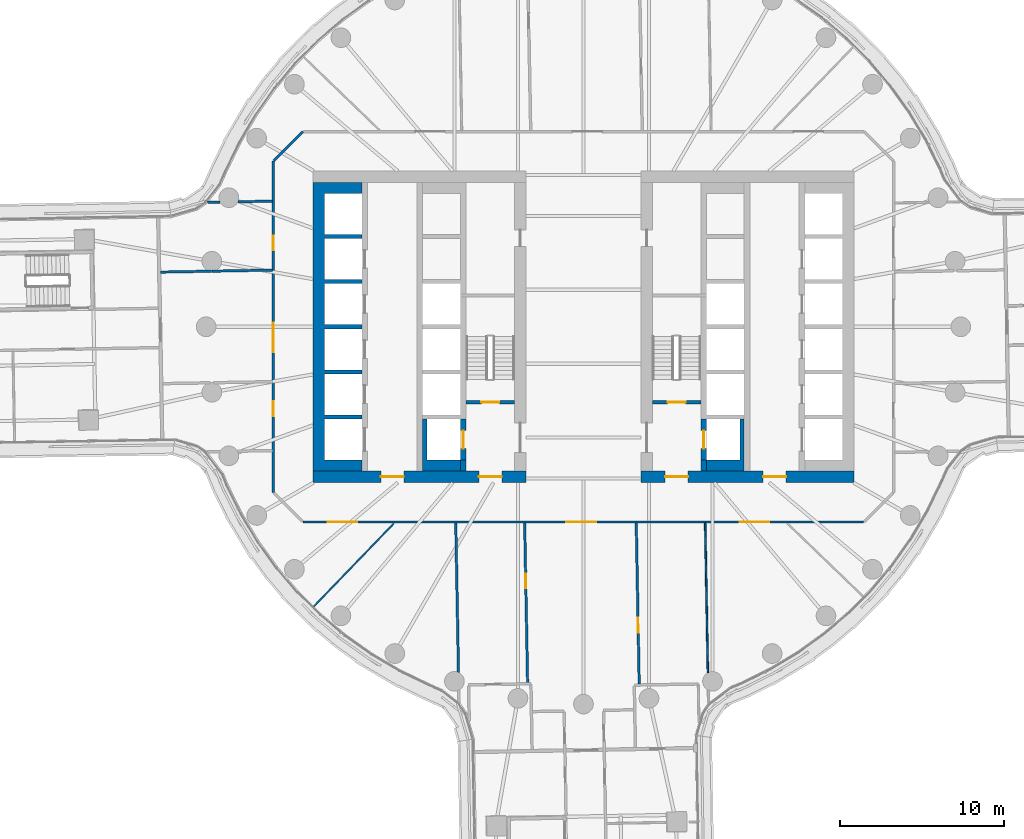
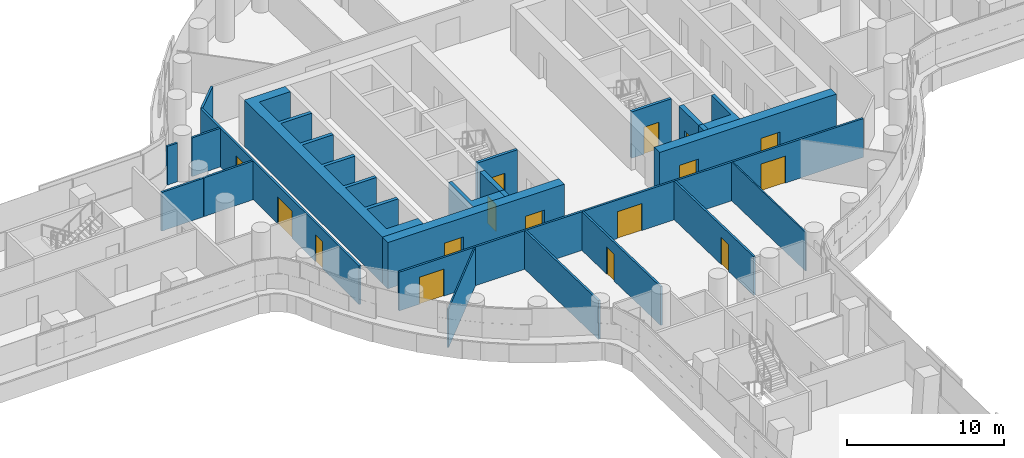
# One storey, part 20 of 31: 23 walls, 16 doors, 16 openings.
"""IFC4 building model written with IfcOpenShell, lengths in metres."""

from ifc_helpers import new_model, si_unit, direction, frame, frame_2d, origin, place, context, subcontext, project, spatial, polyline, rectangle, outline, extrude, material, layer, layer_set, type_object, element, fill, save


model = new_model("IFC4")

# Units and contexts
model_context = context("Model", 3, precision=1e-05, world=origin(), true_north=direction((0.0, 1.0)))
body_context = subcontext(model_context, "Body", "Model", "MODEL_VIEW")
ifc_project = project(units=[si_unit("LENGTHUNIT", "METRE"), si_unit("AREAUNIT", "SQUARE_METRE"), si_unit("VOLUMEUNIT", "CUBIC_METRE"), si_unit("PLANEANGLEUNIT", "RADIAN"), si_unit("MASSUNIT", "GRAM", prefix="KILO")], contexts=[model_context])

# Site, building, storey
site_placement = place(None, origin())
site = spatial("IfcSite", under=ifc_project, at=site_placement, CompositionType="ELEMENT")
building_placement = place(site_placement, origin())
building = spatial("IfcBuilding", under=site, at=building_placement, Name="Tamarind Cross Interchange Tower", CompositionType="ELEMENT")
storey_placement = place(building_placement, frame((0.0, 0.0, 37.75)))
storey = spatial("IfcBuildingStorey", under=building, at=storey_placement, Name="L07", CompositionType="ELEMENT", Elevation=37.75)

# Wall, openings, doors
ifc_material_1 = material(Name="Concrete C80", Category="concrete")
ifc_layer_1 = layer(ifc_material_1, 0.699951171875)
ifc_layer_set_1 = layer_set([ifc_layer_1], Name="Concrete C80")
wall_type_1 = type_object("IfcWallType", Name="Core wall 700 mm Concrete C80", PredefinedType="SHEAR", material=ifc_layer_set_1)
wall_1_placement = place(storey_placement, frame((-16.5, -9.14990234375, 0.0), z_axis=(0.0, 0.0, 1.0), x_axis=(1.0, 0.0, 0.0)))
wall_1 = element("IfcWall", 1, at=wall_1_placement, inside=storey, type_object=wall_type_1, Name="Core wall CWL-L07-W-S", PredefinedType="SHEAR", context=body_context, shape_type="SweptSolid", body=[
    extrude(rectangle(XDim=13.0, YDim=0.699951171875, at=frame_2d((6.5, 0.0))), origin(), (0.0, 0.0, 1.0), 3.610107421875),
])
opening_1_placement = place(wall_1_placement, frame((4.14990234375, 0.0, 0.0)))
opening_1 = element("IfcOpeningElement", 2, at=opening_1_placement, cuts=wall_1, Name="Opening DCW1", PredefinedType="OPENING", context=body_context, shape_type="SweptSolid", body=[
    extrude(rectangle(XDim=1.39990234375, YDim=2.10009765625, at=frame_2d((0.699951171875, 1.050048828125))), frame((0.0, 0.35986328125, 0.0), z_axis=(0.0, -1.0, 0.0), x_axis=(1.0, 0.0, 0.0)), (0.0, 0.0, 1.0), 0.719970703125),
])
opening_2_placement = place(wall_1_placement, frame((10.125, 0.0, 0.0)))
opening_2 = element("IfcOpeningElement", 3, at=opening_2_placement, cuts=wall_1, Name="Opening DCWF", PredefinedType="OPENING", context=body_context, shape_type="SweptSolid", body=[
    extrude(rectangle(XDim=1.39990234375, YDim=2.10009765625, at=frame_2d((0.699951171875, 1.050048828125))), frame((0.0, 0.35986328125, 0.0), z_axis=(0.0, -1.0, 0.0), x_axis=(1.0, 0.0, 0.0)), (0.0, 0.0, 1.0), 0.719970703125),
])
ifc_material_2 = material(Name="Steel, fire-resisting", Category="steel")
door_type_1 = type_object("IfcDoorType", Name="Core fire door 1400 x 2100 FD90", OperationType="SINGLE_SWING_LEFT", PredefinedType="DOOR", material=ifc_material_2)
door_1_placement = place(opening_1_placement, origin())
door_1 = element("IfcDoor", 4, at=door_1_placement, inside=storey, type_object=door_type_1, Name="L07 lift lobby door", OperationType="SINGLE_SWING_LEFT", OverallHeight=2.10009765625, OverallWidth=1.39990234375, PredefinedType="DOOR", context=body_context, shape_type="SweptSolid", body=[
    extrude(rectangle(XDim=1.39990234375, YDim=2.10009765625, at=frame_2d((0.699951171875, 1.050048828125))), frame((0.0, 0.02490234375, 0.0), z_axis=(0.0, -1.0, 0.0), x_axis=(1.0, 0.0, 0.0)), (0.0, 0.0, 1.0), 0.050048828125),
])
fill(opening_1, door_1)
door_2_placement = place(opening_2_placement, origin())
door_2 = element("IfcDoor", 5, at=door_2_placement, inside=storey, type_object=door_type_1, Name="L07 firefighting lobby end door", OperationType="SINGLE_SWING_LEFT", OverallHeight=2.10009765625, OverallWidth=1.39990234375, PredefinedType="DOOR", context=body_context, shape_type="SweptSolid", body=[
    extrude(rectangle(XDim=1.39990234375, YDim=2.10009765625, at=frame_2d((0.699951171875, 1.050048828125))), frame((0.0, 0.02490234375, 0.0), z_axis=(0.0, -1.0, 0.0), x_axis=(1.0, 0.0, 0.0)), (0.0, 0.0, 1.0), 0.050048828125),
])
fill(opening_2, door_2)

# Wall
wall_2_placement = place(storey_placement, origin())
element("IfcWall", 6, at=wall_2_placement, inside=storey, type_object=wall_type_1, Name="Core wall CWL-L07-W-A", PredefinedType="SHEAR", context=body_context, shape_type="SweptSolid", body=[
    extrude(outline(polyline([(-13.5, -8.800048828125), (-13.5, -8.125), (-15.800048828125, -8.125), (-15.800048828125, -5.625), (-13.5, -5.625), (-13.5, -5.375), (-15.800048828125, -5.375), (-15.800048828125, -2.875), (-13.5, -2.875), (-13.5, -2.625), (-15.800048828125, -2.625), (-15.800048828125, -0.125), (-13.5, -0.125), (-13.5, 0.125), (-15.800048828125, 0.125), (-15.800048828125, 2.625), (-13.5, 2.625), (-13.5, 2.875), (-15.800048828125, 2.875), (-15.800048828125, 5.375), (-13.5, 5.375), (-13.5, 5.625), (-15.800048828125, 5.625), (-15.800048828125, 8.125), (-13.5, 8.125), (-13.5, 8.800048828125), (-15.800048828125, 8.800048828125), (-16.5, 8.800048828125), (-16.5, -8.800048828125), (-15.800048828125, -8.800048828125), (-13.5, -8.800048828125)])), origin(), (0.0, 0.0, 1.0), 3.610107421875),
])

# Wall, openings, doors
wall_3_placement = place(storey_placement, frame((16.5, -9.14990234375, 0.0), z_axis=(0.0, 0.0, 1.0), x_axis=(-1.0, 0.0, 0.0)))
wall_3 = element("IfcWall", 7, at=wall_3_placement, inside=storey, type_object=wall_type_1, Name="Core wall CWL-L07-E-S", PredefinedType="SHEAR", context=body_context, shape_type="SweptSolid", body=[
    extrude(rectangle(XDim=13.0, YDim=0.699951171875, at=frame_2d((6.5, 0.0))), origin(), (0.0, 0.0, 1.0), 3.610107421875),
])
opening_3_placement = place(wall_3_placement, frame((4.14990234375, 0.0, 0.0)))
opening_3 = element("IfcOpeningElement", 8, at=opening_3_placement, cuts=wall_3, Name="Opening DCE1", PredefinedType="OPENING", context=body_context, shape_type="SweptSolid", body=[
    extrude(rectangle(XDim=1.39990234375, YDim=2.10009765625, at=frame_2d((0.699951171875, 1.050048828125))), frame((0.0, 0.35986328125, 0.0), z_axis=(0.0, -1.0, 0.0), x_axis=(1.0, 0.0, 0.0)), (0.0, 0.0, 1.0), 0.719970703125),
])
opening_4_placement = place(wall_3_placement, frame((10.125, 0.0, 0.0)))
opening_4 = element("IfcOpeningElement", 9, at=opening_4_placement, cuts=wall_3, Name="Opening DCEF", PredefinedType="OPENING", context=body_context, shape_type="SweptSolid", body=[
    extrude(rectangle(XDim=1.39990234375, YDim=2.10009765625, at=frame_2d((0.699951171875, 1.050048828125))), frame((0.0, 0.35986328125, 0.0), z_axis=(0.0, -1.0, 0.0), x_axis=(1.0, 0.0, 0.0)), (0.0, 0.0, 1.0), 0.719970703125),
])
door_3_placement = place(opening_3_placement, origin())
door_3 = element("IfcDoor", 10, at=door_3_placement, inside=storey, type_object=door_type_1, Name="L07 lift lobby door", OperationType="SINGLE_SWING_LEFT", OverallHeight=2.10009765625, OverallWidth=1.39990234375, PredefinedType="DOOR", context=body_context, shape_type="SweptSolid", body=[
    extrude(rectangle(XDim=1.39990234375, YDim=2.10009765625, at=frame_2d((0.699951171875, 1.050048828125))), frame((0.0, 0.02490234375, 0.0), z_axis=(0.0, -1.0, 0.0), x_axis=(1.0, 0.0, 0.0)), (0.0, 0.0, 1.0), 0.050048828125),
])
fill(opening_3, door_3)
door_4_placement = place(opening_4_placement, origin())
door_4 = element("IfcDoor", 11, at=door_4_placement, inside=storey, type_object=door_type_1, Name="L07 firefighting lobby end door", OperationType="SINGLE_SWING_LEFT", OverallHeight=2.10009765625, OverallWidth=1.39990234375, PredefinedType="DOOR", context=body_context, shape_type="SweptSolid", body=[
    extrude(rectangle(XDim=1.39990234375, YDim=2.10009765625, at=frame_2d((0.699951171875, 1.050048828125))), frame((0.0, 0.02490234375, 0.0), z_axis=(0.0, -1.0, 0.0), x_axis=(1.0, 0.0, 0.0)), (0.0, 0.0, 1.0), 0.050048828125),
])
fill(opening_4, door_4)

# Walls
ifc_layer_2 = layer(ifc_material_1, 0.35009765625)
ifc_layer_set_2 = layer_set([ifc_layer_2], Name="Concrete C80")
wall_type_2 = type_object("IfcWallType", Name="Core web wall 350 mm Concrete C80", PredefinedType="SHEAR", material=ifc_layer_set_2)
wall_4_placement = place(storey_placement, origin())
element("IfcWall", 12, at=wall_4_placement, inside=storey, type_object=wall_type_2, Name="Core wall CWL-L07-W-BS", PredefinedType="SHEAR", context=body_context, shape_type="SweptSolid", body=[
    extrude(outline(polyline([(-7.5, -8.125), (-9.550048828125, -8.125), (-9.550048828125, -5.625), (-9.800048828125, -5.625), (-9.800048828125, -8.125), (-9.800048828125, -8.800048828125), (-7.5, -8.800048828125), (-7.5, -8.125)])), origin(), (0.0, 0.0, 1.0), 3.610107421875),
])
wall_5_placement = place(storey_placement, frame((-7.324951171875, -8.800048828125, 0.0), z_axis=(0.0, 0.0, 1.0), x_axis=(0.0, 1.0, 0.0)))
element("IfcWall", 13, at=wall_5_placement, inside=storey, type_object=wall_type_2, Name="Core wall CWL-L07-W-BW", PredefinedType="SHEAR", context=body_context, shape_type="SweptSolid", body=[
    extrude(rectangle(XDim=0.675048828125, YDim=0.35009765625, at=frame_2d((0.33740234375, 0.0))), origin(), (0.0, 0.0, 1.0), 3.610107421875),
])

# Wall, opening, door
wall_6_placement = place(storey_placement, frame((-7.324951171875, -8.125, 0.0), z_axis=(0.0, 0.0, 1.0), x_axis=(0.0, 1.0, 0.0)))
wall_6 = element("IfcWall", 14, at=wall_6_placement, inside=storey, type_object=wall_type_2, Name="Core wall CWL-L07-W-FF", PredefinedType="SHEAR", context=body_context, shape_type="SweptSolid", body=[
    extrude(rectangle(XDim=2.5, YDim=0.35009765625, at=frame_2d((1.25, 0.0))), origin(), (0.0, 0.0, 1.0), 3.610107421875),
])
opening_5_placement = place(wall_6_placement, frame((0.699951171875, 0.0, 0.0)))
opening_5 = element("IfcOpeningElement", 15, at=opening_5_placement, cuts=wall_6, Name="Opening LD7L07", PredefinedType="OPENING", context=body_context, shape_type="SweptSolid", body=[
    extrude(rectangle(XDim=1.10009765625, YDim=2.10009765625, at=frame_2d((0.550048828125, 1.050048828125))), frame((0.0, 0.18505859375, 0.0), z_axis=(0.0, -1.0, 0.0), x_axis=(1.0, 0.0, 0.0)), (0.0, 0.0, 1.0), 0.3701171875),
])
ifc_material_3 = material(Name="Stainless steel panel", Category="steel")
door_type_2 = type_object("IfcDoorType", Name="Lift landing door 1100 x 2100 E 120", OperationType="SLIDING_TO_LEFT", PredefinedType="DOOR", material=ifc_material_3)
door_5_placement = place(opening_5_placement, origin())
door_5 = element("IfcDoor", 16, at=door_5_placement, inside=storey, type_object=door_type_2, Name="L07 landing door LF7", OperationType="SLIDING_TO_LEFT", OverallHeight=2.10009765625, OverallWidth=1.10009765625, PredefinedType="DOOR", context=body_context, shape_type="SweptSolid", body=[
    extrude(rectangle(XDim=1.10009765625, YDim=2.10009765625, at=frame_2d((0.550048828125, 1.050048828125))), frame((0.0, 0.02490234375, 0.0), z_axis=(0.0, -1.0, 0.0), x_axis=(1.0, 0.0, 0.0)), (0.0, 0.0, 1.0), 0.050048828125),
])
fill(opening_5, door_5)

# Walls
wall_7_placement = place(storey_placement, origin())
element("IfcWall", 17, at=wall_7_placement, inside=storey, type_object=wall_type_2, Name="Core wall CWL-L07-E-BS", PredefinedType="SHEAR", context=body_context, shape_type="SweptSolid", body=[
    extrude(outline(polyline([(7.5, -8.125), (7.5, -8.800048828125), (9.800048828125, -8.800048828125), (9.800048828125, -8.125), (9.800048828125, -5.625), (9.550048828125, -5.625), (9.550048828125, -8.125), (7.5, -8.125)])), origin(), (0.0, 0.0, 1.0), 3.610107421875),
])
wall_8_placement = place(storey_placement, frame((7.324951171875, -8.800048828125, 0.0), z_axis=(0.0, 0.0, 1.0), x_axis=(0.0, 1.0, 0.0)))
element("IfcWall", 18, at=wall_8_placement, inside=storey, type_object=wall_type_2, Name="Core wall CWL-L07-E-BW", PredefinedType="SHEAR", context=body_context, shape_type="SweptSolid", body=[
    extrude(rectangle(XDim=0.675048828125, YDim=0.35009765625, at=frame_2d((0.33740234375, 0.0))), origin(), (0.0, 0.0, 1.0), 3.610107421875),
])

# Wall, opening, door
wall_9_placement = place(storey_placement, frame((7.324951171875, -8.125, 0.0), z_axis=(0.0, 0.0, 1.0), x_axis=(0.0, 1.0, 0.0)))
wall_9 = element("IfcWall", 19, at=wall_9_placement, inside=storey, type_object=wall_type_2, Name="Core wall CWL-L07-E-FF", PredefinedType="SHEAR", context=body_context, shape_type="SweptSolid", body=[
    extrude(rectangle(XDim=2.5, YDim=0.35009765625, at=frame_2d((1.25, 0.0))), origin(), (0.0, 0.0, 1.0), 3.610107421875),
])
opening_6_placement = place(wall_9_placement, frame((0.699951171875, 0.0, 0.0)))
opening_6 = element("IfcOpeningElement", 20, at=opening_6_placement, cuts=wall_9, Name="Opening LD19L07", PredefinedType="OPENING", context=body_context, shape_type="SweptSolid", body=[
    extrude(rectangle(XDim=1.10009765625, YDim=2.10009765625, at=frame_2d((0.550048828125, 1.050048828125))), frame((0.0, 0.18505859375, 0.0), z_axis=(0.0, -1.0, 0.0), x_axis=(1.0, 0.0, 0.0)), (0.0, 0.0, 1.0), 0.3701171875),
])
door_6_placement = place(opening_6_placement, origin())
door_6 = element("IfcDoor", 21, at=door_6_placement, inside=storey, type_object=door_type_2, Name="L07 landing door LF19", OperationType="SLIDING_TO_LEFT", OverallHeight=2.10009765625, OverallWidth=1.10009765625, PredefinedType="DOOR", context=body_context, shape_type="SweptSolid", body=[
    extrude(rectangle(XDim=1.10009765625, YDim=2.10009765625, at=frame_2d((0.550048828125, 1.050048828125))), frame((0.0, 0.02490234375, 0.0), z_axis=(0.0, -1.0, 0.0), x_axis=(1.0, 0.0, 0.0)), (0.0, 0.0, 1.0), 0.050048828125),
])
fill(opening_6, door_6)

# Walls
ifc_material_4 = material(Name="Gypsum board partition on steel studs", Category="steel")
ifc_layer_3 = layer(ifc_material_4, 0.10009765625)
ifc_layer_set_3 = layer_set([ifc_layer_3], Name="Gypsum board partition on steel studs")
wall_type_3 = type_object("IfcWallType", Name="Partition 100 mm EI 90", PredefinedType="PARTITIONING", material=ifc_layer_set_3)
wall_10_placement = place(storey_placement, frame((7.418212890625, -11.9599609375, 0.0), z_axis=(0.0, 0.0, 1.0), x_axis=(0.018176380895, -0.999834795943, 0.0)))
element("IfcWall", 22, at=wall_10_placement, inside=storey, type_object=wall_type_3, Name="Partition L07-023", PredefinedType="PARTITIONING", context=body_context, shape_type="SweptSolid", body=[
    extrude(rectangle(XDim=9.1201171875, YDim=0.10009765625, at=frame_2d((4.56005859375, 0.0))), origin(), (0.0, 0.0, 1.0), 3.010009765625),
])
wall_11_placement = place(storey_placement, frame((-16.43408203125, -17.044189453125, 0.0), z_axis=(0.0, 0.0, 1.0), x_axis=(0.694105968041, 0.719872839556, 0.0)))
element("IfcWall", 23, at=wall_11_placement, inside=storey, type_object=wall_type_3, Name="Partition L07-076", PredefinedType="PARTITIONING", context=body_context, shape_type="SweptSolid", body=[
    extrude(rectangle(XDim=7.02099609375, YDim=0.10009765625, at=frame_2d((3.510498046875, 0.0))), origin(), (0.0, 0.0, 1.0), 3.010009765625),
])
ifc_layer_4 = layer(ifc_material_4, 0.14990234375)
ifc_layer_set_4 = layer_set([ifc_layer_4], Name="Gypsum board partition on steel studs")
wall_type_4 = type_object("IfcWallType", Name="Partition 150 mm EI 120", PredefinedType="PARTITIONING", material=ifc_layer_set_4)
wall_12_placement = place(storey_placement, frame((-7.783935546875, -11.9599609375, 0.0), z_axis=(0.0, 0.0, 1.0), x_axis=(0.018168098566, -0.999834946476, 0.0)))
element("IfcWall", 24, at=wall_12_placement, inside=storey, type_object=wall_type_4, Name="Partition L07-006", PredefinedType="PARTITIONING", context=body_context, shape_type="SweptSolid", body=[
    extrude(rectangle(XDim=9.11083984375, YDim=0.14990234375, at=frame_2d((4.555419921875, 0.0))), origin(), (0.0, 0.0, 1.0), 3.010009765625),
])

# Wall, opening, door
wall_13_placement = place(storey_placement, frame((-3.583984375, -11.9599609375, 0.0), z_axis=(0.0, 0.0, 1.0), x_axis=(0.018266254974, -0.999833158046, 0.0)))
wall_13 = element("IfcWall", 25, at=wall_13_placement, inside=storey, type_object=wall_type_4, Name="Partition L07-009", PredefinedType="PARTITIONING", context=body_context, shape_type="SweptSolid", body=[
    extrude(rectangle(XDim=9.74365234375, YDim=0.14990234375, at=frame_2d((4.871826171875, 0.0))), origin(), (0.0, 0.0, 1.0), 3.010009765625),
])
opening_7_placement = place(wall_13_placement, frame((3.090087890625, 0.0, 0.0)))
opening_7 = element("IfcOpeningElement", 26, at=opening_7_placement, cuts=wall_13, Name="Opening D03", PredefinedType="OPENING", context=body_context, shape_type="SweptSolid", body=[
    extrude(rectangle(XDim=0.89990234375, YDim=2.10009765625, at=frame_2d((0.449951171875, 1.050048828125))), frame((0.0, 0.0849609375, 0.0), z_axis=(0.0, -1.0, 0.0), x_axis=(1.0, 0.0, 0.0)), (0.0, 0.0, 1.0), 0.169921875),
])
ifc_material_5 = material(Name="Fire-resisting door set")
door_type_3 = type_object("IfcDoorType", Name="Interior door 900 x 2100 FD60S", OperationType="SINGLE_SWING_LEFT", PredefinedType="DOOR", material=ifc_material_5)
door_7_placement = place(opening_7_placement, frame((0.89990234375, 0.0, 0.0), z_axis=(0.0, 0.0, 1.0), x_axis=(-1.0, 0.0, 0.0)))
door_7 = element("IfcDoor", 27, at=door_7_placement, inside=storey, type_object=door_type_3, Name="Door D03", OperationType="SINGLE_SWING_LEFT", OverallHeight=2.10009765625, OverallWidth=0.89990234375, PredefinedType="DOOR", context=body_context, shape_type="SweptSolid", body=[
    extrude(rectangle(XDim=0.89990234375, YDim=2.10009765625, at=frame_2d((0.449951171875, 1.050048828125))), frame((0.0, 0.02490234375, 0.0), z_axis=(0.0, -1.0, 0.0), x_axis=(1.0, 0.0, 0.0)), (0.0, 0.0, 1.0), 0.050048828125),
])
fill(opening_7, door_7)

wall_14_placement = place(storey_placement, frame((3.217041015625, -11.9599609375, 0.0), z_axis=(0.0, 0.0, 1.0), x_axis=(0.018323418292, -0.999832112078, 0.0)))
wall_14 = element("IfcWall", 28, at=wall_14_placement, inside=storey, type_object=wall_type_4, Name="Partition L07-019", PredefinedType="PARTITIONING", context=body_context, shape_type="SweptSolid", body=[
    extrude(rectangle(XDim=9.81982421875, YDim=0.14990234375, at=frame_2d((4.909912109375, 0.0))), origin(), (0.0, 0.0, 1.0), 3.010009765625),
])
opening_8_placement = place(wall_14_placement, frame((5.7900390625, 0.0, 0.0)))
opening_8 = element("IfcOpeningElement", 29, at=opening_8_placement, cuts=wall_14, Name="Opening D13", PredefinedType="OPENING", context=body_context, shape_type="SweptSolid", body=[
    extrude(rectangle(XDim=0.89990234375, YDim=2.10009765625, at=frame_2d((0.449951171875, 1.050048828125))), frame((0.0, 0.0849609375, 0.0), z_axis=(0.0, -1.0, 0.0), x_axis=(1.0, 0.0, 0.0)), (0.0, 0.0, 1.0), 0.169921875),
])
door_8_placement = place(opening_8_placement, origin())
door_8 = element("IfcDoor", 30, at=door_8_placement, inside=storey, type_object=door_type_3, Name="Door D13", OperationType="SINGLE_SWING_LEFT", OverallHeight=2.10009765625, OverallWidth=0.89990234375, PredefinedType="DOOR", context=body_context, shape_type="SweptSolid", body=[
    extrude(rectangle(XDim=0.89990234375, YDim=2.10009765625, at=frame_2d((0.449951171875, 1.050048828125))), frame((0.0, 0.02490234375, 0.0), z_axis=(0.0, -1.0, 0.0), x_axis=(1.0, 0.0, 0.0)), (0.0, 0.0, 1.0), 0.050048828125),
])
fill(opening_8, door_8)

# Wall, openings, doors
wall_15_placement = place(storey_placement, frame((-17.10009765625, -11.89990234375, 0.0), z_axis=(0.0, 0.0, 1.0), x_axis=(1.0, 0.0, 0.0)))
wall_15 = element("IfcWall", 31, at=wall_15_placement, inside=storey, type_object=wall_type_4, Name="Partition L07-036", PredefinedType="PARTITIONING", context=body_context, shape_type="SweptSolid", body=[
    extrude(rectangle(XDim=34.1650390625, YDim=0.14990234375, at=frame_2d((17.08251953125, 0.0))), origin(), (0.0, 0.0, 1.0), 3.010009765625),
])
opening_9_placement = place(wall_15_placement, frame((16.06494140625, 0.0, 0.0)))
opening_9 = element("IfcOpeningElement", 32, at=opening_9_placement, cuts=wall_15, Name="Opening D17", PredefinedType="OPENING", context=body_context, shape_type="SweptSolid", body=[
    extrude(rectangle(XDim=1.800048828125, YDim=2.10009765625, at=frame_2d((0.89990234375, 1.050048828125))), frame((0.0, 0.0849609375, 0.0), z_axis=(0.0, -1.0, 0.0), x_axis=(1.0, 0.0, 0.0)), (0.0, 0.0, 1.0), 0.169921875),
])
opening_10_placement = place(wall_15_placement, frame((1.5, 0.0, 0.0)))
opening_10 = element("IfcOpeningElement", 33, at=opening_10_placement, cuts=wall_15, Name="Opening D18", PredefinedType="OPENING", context=body_context, shape_type="SweptSolid", body=[
    extrude(rectangle(XDim=1.800048828125, YDim=2.10009765625, at=frame_2d((0.89990234375, 1.050048828125))), frame((0.0, 0.0849609375, 0.0), z_axis=(0.0, -1.0, 0.0), x_axis=(1.0, 0.0, 0.0)), (0.0, 0.0, 1.0), 0.169921875),
])
opening_11_placement = place(wall_15_placement, frame((26.616943359375, 0.0, 0.0)))
opening_11 = element("IfcOpeningElement", 34, at=opening_11_placement, cuts=wall_15, Name="Opening D19", PredefinedType="OPENING", context=body_context, shape_type="SweptSolid", body=[
    extrude(rectangle(XDim=1.800048828125, YDim=2.10009765625, at=frame_2d((0.89990234375, 1.050048828125))), frame((0.0, 0.0849609375, 0.0), z_axis=(0.0, -1.0, 0.0), x_axis=(1.0, 0.0, 0.0)), (0.0, 0.0, 1.0), 0.169921875),
])
door_type_4 = type_object("IfcDoorType", Name="Interior door 1800 x 2100 FD60S", OperationType="DOUBLE_DOOR_SINGLE_SWING", PredefinedType="DOOR", material=ifc_material_5)
door_9_placement = place(opening_9_placement, origin())
door_9 = element("IfcDoor", 35, at=door_9_placement, inside=storey, type_object=door_type_4, Name="Door D17", OperationType="DOUBLE_DOOR_SINGLE_SWING", OverallHeight=2.10009765625, OverallWidth=1.800048828125, PredefinedType="DOOR", context=body_context, shape_type="SweptSolid", body=[
    extrude(rectangle(XDim=1.800048828125, YDim=2.10009765625, at=frame_2d((0.89990234375, 1.050048828125))), frame((0.0, 0.02490234375, 0.0), z_axis=(0.0, -1.0, 0.0), x_axis=(1.0, 0.0, 0.0)), (0.0, 0.0, 1.0), 0.050048828125),
])
fill(opening_9, door_9)
door_10_placement = place(opening_10_placement, frame((1.800048828125, 0.0, 0.0), z_axis=(0.0, 0.0, 1.0), x_axis=(-1.0, 0.0, 0.0)))
door_10 = element("IfcDoor", 36, at=door_10_placement, inside=storey, type_object=door_type_4, Name="Door D18", OperationType="DOUBLE_DOOR_SINGLE_SWING", OverallHeight=2.10009765625, OverallWidth=1.800048828125, PredefinedType="DOOR", context=body_context, shape_type="SweptSolid", body=[
    extrude(rectangle(XDim=1.800048828125, YDim=2.10009765625, at=frame_2d((0.89990234375, 1.050048828125))), frame((0.0, 0.02490234375, 0.0), z_axis=(0.0, -1.0, 0.0), x_axis=(1.0, 0.0, 0.0)), (0.0, 0.0, 1.0), 0.050048828125),
])
fill(opening_10, door_10)
door_11_placement = place(opening_11_placement, frame((1.800048828125, 0.0, 0.0), z_axis=(0.0, 0.0, 1.0), x_axis=(-1.0, 0.0, 0.0)))
door_11 = element("IfcDoor", 37, at=door_11_placement, inside=storey, type_object=door_type_4, Name="Door D19", OperationType="DOUBLE_DOOR_SINGLE_SWING", OverallHeight=2.10009765625, OverallWidth=1.800048828125, PredefinedType="DOOR", context=body_context, shape_type="SweptSolid", body=[
    extrude(rectangle(XDim=1.800048828125, YDim=2.10009765625, at=frame_2d((0.89990234375, 1.050048828125))), frame((0.0, 0.02490234375, 0.0), z_axis=(0.0, -1.0, 0.0), x_axis=(1.0, 0.0, 0.0)), (0.0, 0.0, 1.0), 0.050048828125),
])
fill(opening_11, door_11)

# Walls
wall_16_placement = place(storey_placement, frame((-25.77587890625, 3.33154296875, 0.0), z_axis=(0.0, 0.0, 1.0), x_axis=(0.999834076392, 0.018215918464, 0.0)))
element("IfcWall", 38, at=wall_16_placement, inside=storey, type_object=wall_type_4, Name="Partition L07-041", PredefinedType="PARTITIONING", context=body_context, shape_type="SweptSolid", body=[
    extrude(rectangle(XDim=3.109375, YDim=0.14990234375, at=frame_2d((1.5546875, 0.0))), origin(), (0.0, 0.0, 1.0), 3.010009765625),
])
wall_17_placement = place(storey_placement, frame((-22.6318359375, 3.388916015625, 0.0), z_axis=(0.0, 0.0, 1.0), x_axis=(0.999834091985, 0.01821506258, 0.0)))
element("IfcWall", 39, at=wall_17_placement, inside=storey, type_object=wall_type_4, Name="Partition L07-042", PredefinedType="PARTITIONING", context=body_context, shape_type="SweptSolid", body=[
    extrude(rectangle(XDim=3.67236328125, YDim=0.14990234375, at=frame_2d((1.836181640625, 0.0))), origin(), (0.0, 0.0, 1.0), 3.010009765625),
])
wall_18_placement = place(storey_placement, frame((-22.902587890625, 7.5849609375, 0.0), z_axis=(0.0, 0.0, 1.0), x_axis=(0.999834536949, 0.018190621855, 0.0)))
element("IfcWall", 40, at=wall_18_placement, inside=storey, type_object=wall_type_4, Name="Partition L07-047", PredefinedType="PARTITIONING", context=body_context, shape_type="SweptSolid", body=[
    extrude(rectangle(XDim=0.751708984375, YDim=0.14990234375, at=frame_2d((0.3759765625, 0.0))), origin(), (0.0, 0.0, 1.0), 3.010009765625),
])
wall_19_placement = place(storey_placement, frame((-21.0693359375, 7.618408203125, 0.0), z_axis=(0.0, 0.0, 1.0), x_axis=(0.999832834064, 0.018283980067, 0.0)))
element("IfcWall", 41, at=wall_19_placement, inside=storey, type_object=wall_type_4, Name="Partition L07-048", PredefinedType="PARTITIONING", context=body_context, shape_type="SweptSolid", body=[
    extrude(rectangle(XDim=2.109619140625, YDim=0.14990234375, at=frame_2d((1.0546875, 0.0))), origin(), (0.0, 0.0, 1.0), 3.010009765625),
])
wall_20_placement = place(storey_placement, frame((-18.87158203125, 10.12841796875, 0.0), z_axis=(0.0, 0.0, 1.0), x_axis=(0.707106781187, 0.707106781187, 0.0)))
element("IfcWall", 42, at=wall_20_placement, inside=storey, type_object=wall_type_4, Name="Partition L07-074", PredefinedType="PARTITIONING", context=body_context, shape_type="SweptSolid", body=[
    extrude(rectangle(XDim=2.50537109375, YDim=0.14990234375, at=frame_2d((1.252685546875, 0.0))), origin(), (0.0, 0.0, 1.0), 3.010009765625),
])

# Wall, openings, doors
wall_21_placement = place(storey_placement, frame((-18.89990234375, -10.10009765625, 0.0), z_axis=(0.0, 0.0, 1.0), x_axis=(0.0, 1.0, 0.0)))
wall_21 = element("IfcWall", 43, at=wall_21_placement, inside=storey, type_object=wall_type_4, Name="Partition L07-078", PredefinedType="PARTITIONING", context=body_context, shape_type="SweptSolid", body=[
    extrude(rectangle(XDim=20.2001953125, YDim=0.14990234375, at=frame_2d((10.10009765625, 0.0))), origin(), (0.0, 0.0, 1.0), 3.010009765625),
])
opening_12_placement = place(wall_21_placement, frame((8.555908203125, 0.0, 0.0)))
opening_12 = element("IfcOpeningElement", 44, at=opening_12_placement, cuts=wall_21, Name="Opening D36", PredefinedType="OPENING", context=body_context, shape_type="SweptSolid", body=[
    extrude(rectangle(XDim=1.800048828125, YDim=2.10009765625, at=frame_2d((0.89990234375, 1.050048828125))), frame((0.0, 0.0849609375, 0.0), z_axis=(0.0, -1.0, 0.0), x_axis=(1.0, 0.0, 0.0)), (0.0, 0.0, 1.0), 0.169921875),
])
opening_13_placement = place(wall_21_placement, frame((4.655029296875, 0.0, 0.0)))
opening_13 = element("IfcOpeningElement", 45, at=opening_13_placement, cuts=wall_21, Name="Opening D37", PredefinedType="OPENING", context=body_context, shape_type="SweptSolid", body=[
    extrude(rectangle(XDim=0.89990234375, YDim=2.10009765625, at=frame_2d((0.449951171875, 1.050048828125))), frame((0.0, 0.0849609375, 0.0), z_axis=(0.0, -1.0, 0.0), x_axis=(1.0, 0.0, 0.0)), (0.0, 0.0, 1.0), 0.169921875),
])
opening_14_placement = place(wall_21_placement, frame((14.757080078125, 0.0, 0.0)))
opening_14 = element("IfcOpeningElement", 46, at=opening_14_placement, cuts=wall_21, Name="Opening D38", PredefinedType="OPENING", context=body_context, shape_type="SweptSolid", body=[
    extrude(rectangle(XDim=0.89990234375, YDim=2.10009765625, at=frame_2d((0.449951171875, 1.050048828125))), frame((0.0, 0.0849609375, 0.0), z_axis=(0.0, -1.0, 0.0), x_axis=(1.0, 0.0, 0.0)), (0.0, 0.0, 1.0), 0.169921875),
])
door_12_placement = place(opening_12_placement, frame((1.800048828125, 0.0, 0.0), z_axis=(0.0, 0.0, 1.0), x_axis=(-1.0, 0.0, 0.0)))
door_12 = element("IfcDoor", 47, at=door_12_placement, inside=storey, type_object=door_type_4, Name="Door D36", OperationType="DOUBLE_DOOR_SINGLE_SWING", OverallHeight=2.10009765625, OverallWidth=1.800048828125, PredefinedType="DOOR", context=body_context, shape_type="SweptSolid", body=[
    extrude(rectangle(XDim=1.800048828125, YDim=2.10009765625, at=frame_2d((0.89990234375, 1.050048828125))), frame((0.0, 0.02490234375, 0.0), z_axis=(0.0, -1.0, 0.0), x_axis=(1.0, 0.0, 0.0)), (0.0, 0.0, 1.0), 0.050048828125),
])
fill(opening_12, door_12)
door_13_placement = place(opening_13_placement, origin())
door_13 = element("IfcDoor", 48, at=door_13_placement, inside=storey, type_object=door_type_3, Name="Door D37", OperationType="SINGLE_SWING_RIGHT", OverallHeight=2.10009765625, OverallWidth=0.89990234375, PredefinedType="DOOR", context=body_context, shape_type="SweptSolid", body=[
    extrude(rectangle(XDim=0.89990234375, YDim=2.10009765625, at=frame_2d((0.449951171875, 1.050048828125))), frame((0.0, 0.02490234375, 0.0), z_axis=(0.0, -1.0, 0.0), x_axis=(1.0, 0.0, 0.0)), (0.0, 0.0, 1.0), 0.050048828125),
])
fill(opening_13, door_13)
door_14_placement = place(opening_14_placement, origin())
door_14 = element("IfcDoor", 49, at=door_14_placement, inside=storey, type_object=door_type_3, Name="Door D38", OperationType="SINGLE_SWING_LEFT", OverallHeight=2.10009765625, OverallWidth=0.89990234375, PredefinedType="DOOR", context=body_context, shape_type="SweptSolid", body=[
    extrude(rectangle(XDim=0.89990234375, YDim=2.10009765625, at=frame_2d((0.449951171875, 1.050048828125))), frame((0.0, 0.02490234375, 0.0), z_axis=(0.0, -1.0, 0.0), x_axis=(1.0, 0.0, 0.0)), (0.0, 0.0, 1.0), 0.050048828125),
])
fill(opening_14, door_14)

# Wall, opening, door
ifc_material_6 = material(Name="Concrete C40", Category="concrete")
ifc_layer_5 = layer(ifc_material_6, 0.199951171875)
ifc_layer_set_5 = layer_set([ifc_layer_5], Name="Concrete C40")
wall_type_5 = type_object("IfcWallType", Name="Stair shaft wall 200 mm Concrete C40", PredefinedType="SHEAR", material=ifc_layer_set_5)
wall_22_placement = place(storey_placement, frame((-7.14990234375, -4.60009765625, 0.0), z_axis=(0.0, 0.0, 1.0), x_axis=(1.0, 0.0, 0.0)))
wall_22 = element("IfcWall", 50, at=wall_22_placement, inside=storey, type_object=wall_type_5, Name="Core wall CWL-L07-W-SD", PredefinedType="SHEAR", context=body_context, shape_type="SweptSolid", body=[
    extrude(rectangle(XDim=2.949951171875, YDim=0.199951171875, at=frame_2d((1.47509765625, 0.0))), origin(), (0.0, 0.0, 1.0), 3.610107421875),
])
opening_15_placement = place(wall_22_placement, frame((0.925048828125, 0.0, 0.0)))
opening_15 = element("IfcOpeningElement", 51, at=opening_15_placement, cuts=wall_22, Name="Opening DCW6", PredefinedType="OPENING", context=body_context, shape_type="SweptSolid", body=[
    extrude(rectangle(XDim=1.10009765625, YDim=2.10009765625, at=frame_2d((0.550048828125, 1.050048828125))), frame((0.0, 0.10986328125, 0.0), z_axis=(0.0, -1.0, 0.0), x_axis=(1.0, 0.0, 0.0)), (0.0, 0.0, 1.0), 0.219970703125),
])
door_type_5 = type_object("IfcDoorType", Name="Core fire door 1100 x 2100 FD90", OperationType="SINGLE_SWING_LEFT", PredefinedType="DOOR", material=ifc_material_2)
door_15_placement = place(opening_15_placement, origin())
door_15 = element("IfcDoor", 52, at=door_15_placement, inside=storey, type_object=door_type_5, Name="L07 stair door", OperationType="SINGLE_SWING_LEFT", OverallHeight=2.10009765625, OverallWidth=1.10009765625, PredefinedType="DOOR", context=body_context, shape_type="SweptSolid", body=[
    extrude(rectangle(XDim=1.10009765625, YDim=2.10009765625, at=frame_2d((0.550048828125, 1.050048828125))), frame((0.0, 0.02490234375, 0.0), z_axis=(0.0, -1.0, 0.0), x_axis=(1.0, 0.0, 0.0)), (0.0, 0.0, 1.0), 0.050048828125),
])
fill(opening_15, door_15)

wall_23_placement = place(storey_placement, frame((7.14990234375, -4.60009765625, 0.0), z_axis=(0.0, 0.0, 1.0), x_axis=(-1.0, 0.0, 0.0)))
wall_23 = element("IfcWall", 53, at=wall_23_placement, inside=storey, type_object=wall_type_5, Name="Core wall CWL-L07-E-SD", PredefinedType="SHEAR", context=body_context, shape_type="SweptSolid", body=[
    extrude(rectangle(XDim=2.949951171875, YDim=0.199951171875, at=frame_2d((1.47509765625, 0.0))), origin(), (0.0, 0.0, 1.0), 3.610107421875),
])
opening_16_placement = place(wall_23_placement, frame((0.925048828125, 0.0, 0.0)))
opening_16 = element("IfcOpeningElement", 54, at=opening_16_placement, cuts=wall_23, Name="Opening DCE6", PredefinedType="OPENING", context=body_context, shape_type="SweptSolid", body=[
    extrude(rectangle(XDim=1.10009765625, YDim=2.10009765625, at=frame_2d((0.550048828125, 1.050048828125))), frame((0.0, 0.10986328125, 0.0), z_axis=(0.0, -1.0, 0.0), x_axis=(1.0, 0.0, 0.0)), (0.0, 0.0, 1.0), 0.219970703125),
])
door_16_placement = place(opening_16_placement, origin())
door_16 = element("IfcDoor", 55, at=door_16_placement, inside=storey, type_object=door_type_5, Name="L07 stair door", OperationType="SINGLE_SWING_LEFT", OverallHeight=2.10009765625, OverallWidth=1.10009765625, PredefinedType="DOOR", context=body_context, shape_type="SweptSolid", body=[
    extrude(rectangle(XDim=1.10009765625, YDim=2.10009765625, at=frame_2d((0.550048828125, 1.050048828125))), frame((0.0, 0.02490234375, 0.0), z_axis=(0.0, -1.0, 0.0), x_axis=(1.0, 0.0, 0.0)), (0.0, 0.0, 1.0), 0.050048828125),
])
fill(opening_16, door_16)

save(model, "model.ifc")
